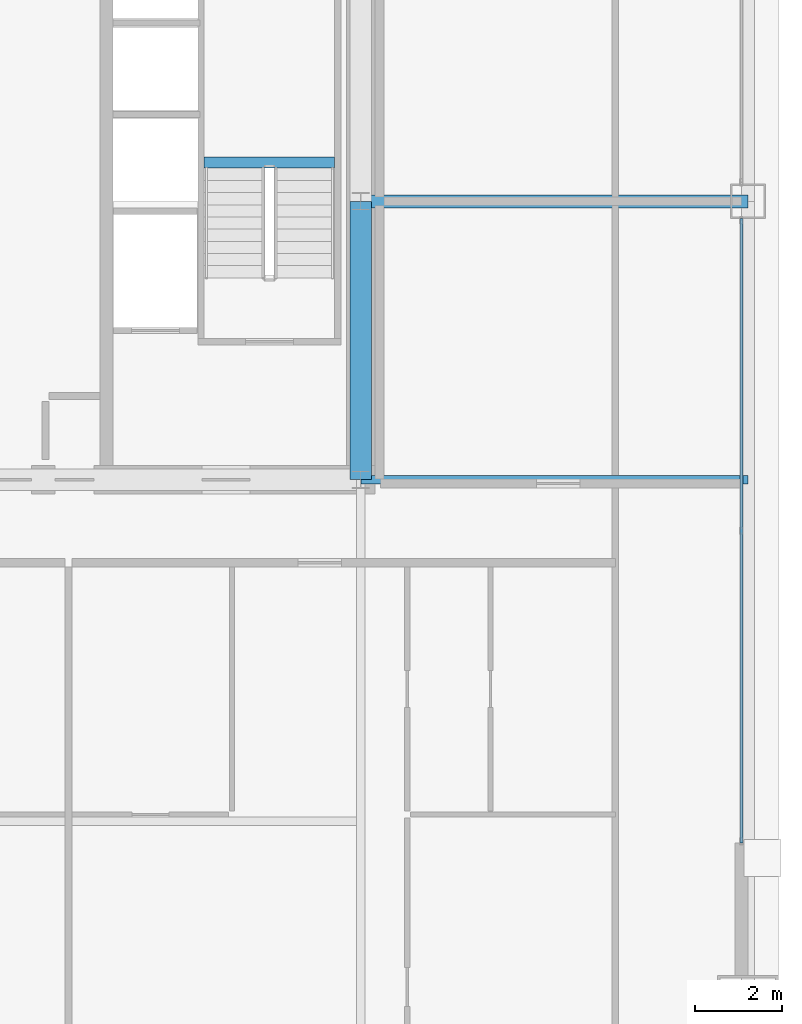
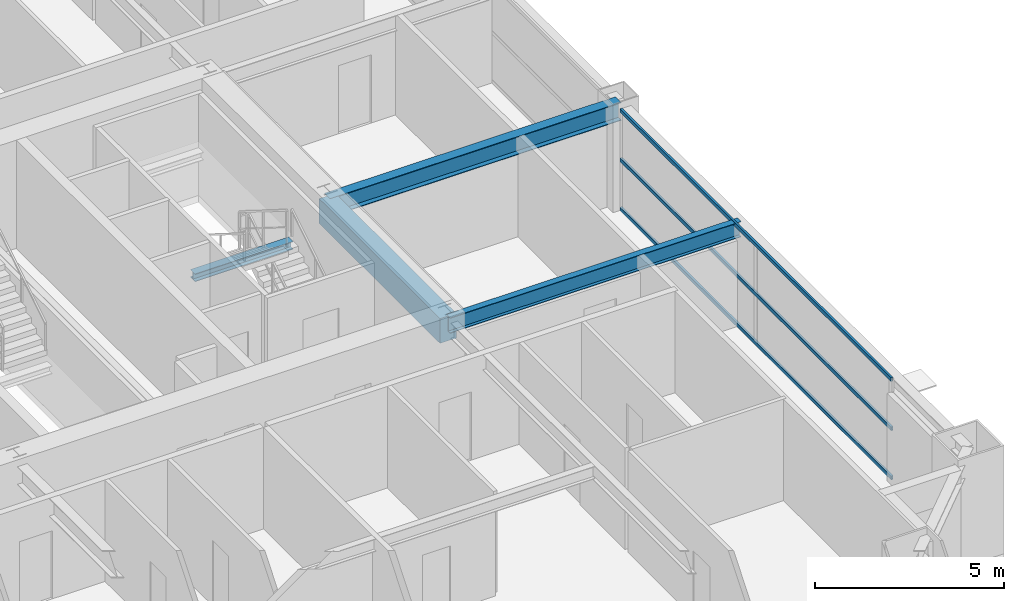
# One storey, part 19 of 38: 4 beams, 3 members, 1 element without a shape of its own.
"""IFC4 building model written with IfcOpenShell, lengths in metres."""

import ifcopenshell
import ifcopenshell.guid

model = None  # the IFC model being written
_history = None  # IfcOwnerHistory: only IFC2X3 demands one
_inside = {}  # id of a spatial element -> (the spatial element, [elements in it])
_under = {}  # id of a project, library or spatial element -> (it, [spatial elements below it])
_declared = {}  # id of a project -> (the project, [libraries it declares])
_typed = {}  # id of a type object -> (the type object, [elements of that type])
_made_of = {}  # id of a material, layer set ... -> (it, [elements and type objects made of it])


def new_model(schema):
    """Start an empty IFC model of exactly this schema.

    Asked for "IFC4X3", IfcOpenShell would pick the latest addendum, in which some entities
    have other attributes; the version numbers below select the first issue.
    IFC2X3 requires an IfcOwnerHistory on every rooted entity: one is made here for all.
    """
    global model, _history
    if schema == "IFC4X3":
        model = ifcopenshell.file(schema_version=(4, 3, 0, 0))
    else:
        model = ifcopenshell.file(schema=schema)
    _inside.clear()
    _under.clear()
    _declared.clear()
    _typed.clear()
    _made_of.clear()
    _history = None
    if model.schema == "IFC2X3":
        org = make("IfcOrganization", Name="unknown")
        user = make(
            "IfcPersonAndOrganization",
            ThePerson=make("IfcPerson", FamilyName="unknown"),
            TheOrganization=org,
        )
        app = make(
            "IfcApplication",
            ApplicationDeveloper=org,
            Version="unknown",
            ApplicationFullName="unknown",
            ApplicationIdentifier="unknown",
        )
        _history = make(
            "IfcOwnerHistory",
            OwningUser=user,
            OwningApplication=app,
            ChangeAction="ADDED",
            CreationDate=0,
        )
    return model


def make(cls, **values):
    """One entity of the class cls with the attributes given. An attribute that is None is left unset."""
    return model.create_entity(
        cls, **{name: value for name, value in values.items() if value is not None}
    )


def rooted(cls, **values):
    """An entity with a GlobalId (a new one), such as an element, a storey or a relation."""
    return make(cls, GlobalId=ifcopenshell.guid.new(), OwnerHistory=_history, **values)


def si_unit(unit_type, name, prefix=None):
    """IfcSIUnit, for example si_unit("LENGTHUNIT", "METRE", prefix="MILLI")."""
    return make("IfcSIUnit", UnitType=unit_type, Prefix=prefix, Name=name)


def assignment(units):
    """IfcUnitAssignment: the units of a project."""
    return None if units is None else make("IfcUnitAssignment", Units=units)


def point(xyz):
    """IfcCartesianPoint."""
    return None if xyz is None else make("IfcCartesianPoint", Coordinates=xyz)


def direction(xyz):
    """IfcDirection."""
    return None if xyz is None else make("IfcDirection", DirectionRatios=xyz)


def frame(location, z_axis=None, x_axis=None):
    """IfcAxis2Placement3D, a coordinate frame: its origin and axes. An axis left out is left unset."""
    return make(
        "IfcAxis2Placement3D",
        Location=point(location),
        Axis=direction(z_axis),
        RefDirection=direction(x_axis),
    )


def frame_2d(location, x_axis=None):
    """IfcAxis2Placement2D, a coordinate frame in the plane: its origin and x axis."""
    return make(
        "IfcAxis2Placement2D", Location=point(location), RefDirection=direction(x_axis)
    )


def origin():
    """The frame at (0, 0, 0) with its axes left unset."""
    return frame((0.0, 0.0, 0.0))


def origin_2d():
    """The frame at (0, 0) in the plane with its x axis left unset."""
    return frame_2d((0.0, 0.0))


def place(relative_to, where):
    """IfcLocalPlacement: puts the frame where relative to a parent placement (None: the world)."""
    return make(
        "IfcLocalPlacement", PlacementRelTo=relative_to, RelativePlacement=where
    )


def context(
    kind, dimensions, precision=None, world=None, true_north=None, identifier=None
):
    """IfcGeometricRepresentationContext, for example the 3D "Model" context."""
    return make(
        "IfcGeometricRepresentationContext",
        ContextIdentifier=identifier,
        ContextType=kind,
        CoordinateSpaceDimension=dimensions,
        Precision=precision,
        WorldCoordinateSystem=world,
        TrueNorth=true_north,
    )


def subcontext(parent, identifier, kind, view, scale=None):
    """IfcGeometricRepresentationSubContext, for example "Body" below "Model"."""
    return make(
        "IfcGeometricRepresentationSubContext",
        ContextIdentifier=identifier,
        ContextType=kind,
        ParentContext=parent,
        TargetScale=scale,
        TargetView=view,
    )


def project(units=None, contexts=None):
    """IfcProject with its units and contexts."""
    return rooted(
        "IfcProject",
        Name="project",
        RepresentationContexts=contexts,
        UnitsInContext=assignment(units),
    )


def spatial(cls, under=None, at=None, **own):
    """A site, building, storey or space (cls), placed at a placement, below another one or the project."""
    s = rooted(cls, ObjectPlacement=at, **own)
    if under is not None:
        _under.setdefault(under.id(), (under, []))[1].append(s)
    return s


def profile(cls, at=None, kind="AREA", **sizes):
    """A parametric profile (cls). Its sizes go by their IFC names, for example OverallWidth=200.0."""
    return make(cls, ProfileType=kind, Position=at, **sizes)


def rectangle(**sizes):
    """IfcRectangleProfileDef."""
    return profile("IfcRectangleProfileDef", **sizes)


def hollow_rectangle(**sizes):
    """IfcRectangleHollowProfileDef."""
    return profile("IfcRectangleHollowProfileDef", **sizes)


def i_section(**sizes):
    """IfcIShapeProfileDef."""
    return profile("IfcIShapeProfileDef", **sizes)


def extrude(swept, where, along, depth):
    """IfcExtrudedAreaSolid: the profile swept, set in the frame where, extruded along a direction by depth."""
    return make(
        "IfcExtrudedAreaSolid",
        SweptArea=swept,
        Position=where,
        ExtrudedDirection=direction(along),
        Depth=depth,
    )


def shape(context_of_items, identifier, shape_type, items):
    """IfcShapeRepresentation: the items that make up one representation, for example the "Body"."""
    return make(
        "IfcShapeRepresentation",
        ContextOfItems=context_of_items,
        RepresentationIdentifier=identifier,
        RepresentationType=shape_type,
        Items=items,
    )


def source(mapping_origin, context_of_items, identifier, shape_type, items):
    """IfcRepresentationMap: a shape defined once, which mapped items show again and again."""
    return make(
        "IfcRepresentationMap",
        MappingOrigin=mapping_origin,
        MappedRepresentation=shape(context_of_items, identifier, shape_type, items),
    )


def transform(
    local_origin,
    x_axis=None,
    y_axis=None,
    z_axis=None,
    scale=None,
    scale2=None,
    scale3=None,
    uniform=True,
):
    """IfcCartesianTransformationOperator3D, or its non-uniform kind. x_axis, y_axis, z_axis: its Axis1, 2, 3."""
    if uniform:
        return make(
            "IfcCartesianTransformationOperator3D",
            Axis1=direction(x_axis),
            Axis2=direction(y_axis),
            LocalOrigin=point(local_origin),
            Scale=scale,
            Axis3=direction(z_axis),
        )
    return make(
        "IfcCartesianTransformationOperator3DnonUniform",
        Axis1=direction(x_axis),
        Axis2=direction(y_axis),
        LocalOrigin=point(local_origin),
        Scale=scale,
        Axis3=direction(z_axis),
        Scale2=scale2,
        Scale3=scale3,
    )


def mapped(mapping_source, mapping_target):
    """IfcMappedItem: shows the shape of a source again, moved by a transform."""
    return make(
        "IfcMappedItem", MappingSource=mapping_source, MappingTarget=mapping_target
    )


def material(Name=None, Category=None):
    """IfcMaterial."""
    return make("IfcMaterial", Name=Name, Category=Category)


def layer(
    of_material, thickness, ventilated=None, Name=None, Category=None, Priority=None
):
    """IfcMaterialLayer: one layer of a wall or slab, of a material (None: an air gap)."""
    return make(
        "IfcMaterialLayer",
        Material=of_material,
        LayerThickness=thickness,
        IsVentilated=ventilated,
        Name=Name,
        Category=Category,
        Priority=Priority,
    )


def layer_set(layers, Name=None):
    """IfcMaterialLayerSet."""
    return make("IfcMaterialLayerSet", MaterialLayers=layers, LayerSetName=Name)


def material_profile(
    of_material, cross_section, Name=None, Category=None, Priority=None
):
    """IfcMaterialProfile: a cross section and its material."""
    return make(
        "IfcMaterialProfile",
        Name=Name,
        Material=of_material,
        Profile=cross_section,
        Priority=Priority,
        Category=Category,
    )


def profile_set(profiles, Name=None, composite=None):
    """IfcMaterialProfileSet."""
    return make(
        "IfcMaterialProfileSet",
        Name=Name,
        MaterialProfiles=profiles,
        CompositeProfile=composite,
    )


def made_of(thing, what):
    """Note that an element or type object is made of a material, layer set ...; save() writes the relation."""
    if what is not None:
        _made_of.setdefault(what.id(), (what, []))[1].append(thing)
    return thing


def type_object(cls, material=None, **own):
    """A type object (cls), such as IfcWallType, which elements share."""
    return made_of(rooted(cls, **own), material)


def element(
    cls,
    number,
    at=None,
    inside=None,
    cuts=None,
    type_object=None,
    material=None,
    context=None,
    identifier="Body",
    shape_type=None,
    held_by="IfcProductDefinitionShape",
    body=None,
    shapes=None,
    **own,
):
    """One element of the class cls, such as IfcWall. Its Tag is "e" and its number.

    at: its placement. inside: the storey or other place that contains it. cuts: it is an
    opening in that element (IfcRelVoidsElement). A single representation is given by context,
    identifier, shape_type and body (its items); several are given by shapes. held_by: the class
    of the entity that holds the representations. save() writes the other relations.
    """
    e = rooted(cls, Tag="e%d" % number, ObjectPlacement=at, **own)
    if body is not None:
        shapes = [shape(context, identifier, shape_type, body)]
    if shapes is not None:
        e.Representation = make(held_by, Representations=shapes)
    if inside is not None:
        _inside.setdefault(inside.id(), (inside, []))[1].append(e)
    if cuts is not None:
        rooted(
            "IfcRelVoidsElement", RelatingBuildingElement=cuts, RelatedOpeningElement=e
        )
    if type_object is not None:
        _typed.setdefault(type_object.id(), (type_object, []))[1].append(e)
    return made_of(e, material)


def aggregate(whole, parts):
    """IfcRelAggregates: a whole, such as a stair, and the parts it consists of."""
    return rooted("IfcRelAggregates", RelatingObject=whole, RelatedObjects=parts)


def save(model, path):
    """Write the relations noted so far, then the file.

    IfcRelAggregates (storeys below a building ...), IfcRelContainedInSpatialStructure (elements
    in a storey), IfcRelDefinesByType, IfcRelAssociatesMaterial and IfcRelDeclares: one each for
    every whole, place, type object, material and project.
    """
    for whole, parts in _under.values():
        aggregate(whole, parts)
    for where, things in _inside.values():
        rooted(
            "IfcRelContainedInSpatialStructure",
            RelatedElements=things,
            RelatingStructure=where,
        )
    for kind, things in _typed.values():
        rooted("IfcRelDefinesByType", RelatedObjects=things, RelatingType=kind)
    for what, things in _made_of.values():
        rooted("IfcRelAssociatesMaterial", RelatedObjects=things, RelatingMaterial=what)
    for by, libraries in _declared.values():
        rooted("IfcRelDeclares", RelatingContext=by, RelatedDefinitions=libraries)
    model.write(path)


model = new_model("IFC4")

# Units and contexts
model_context = context("Model", 3, precision=1e-05, world=origin(), true_north=direction((0.0, 1.0)))
body_context = subcontext(model_context, "Body", "Model", "MODEL_VIEW")
ifc_project = project(units=[si_unit("LENGTHUNIT", "METRE"), si_unit("AREAUNIT", "SQUARE_METRE"), si_unit("VOLUMEUNIT", "CUBIC_METRE"), si_unit("PLANEANGLEUNIT", "RADIAN"), si_unit("MASSUNIT", "GRAM", prefix="KILO"), si_unit("THERMODYNAMICTEMPERATUREUNIT", "KELVIN"), si_unit("POWERUNIT", "WATT")], contexts=[model_context])

# Site, building, storey
site_placement = place(None, origin())
site = spatial("IfcSite", under=ifc_project, at=site_placement, CompositionType="ELEMENT")
building_placement = place(site_placement, origin())
building = spatial("IfcBuilding", under=site, at=building_placement, Name="Yuzanri Waterfront Tower", CompositionType="ELEMENT")
storey_placement = place(building_placement, frame((0.0, 0.0, 209.0)))
storey = spatial("IfcBuildingStorey", under=building, at=storey_placement, Name="L55", CompositionType="ELEMENT", Elevation=209.0)

# Beams
ifc_material_1 = material(Name="Steel Q355B", Category="steel")
ifc_material_profile_1 = material_profile(ifc_material_1, i_section(OverallWidth=0.300048828125, OverallDepth=0.587890625, WebThickness=0.011962890625, FlangeThickness=0.02001953125, at=origin_2d()), Name="HM 588x300x12x20")
ifc_profile_set_1 = profile_set([ifc_material_profile_1], Name="Steel Q355B")
beam_type_1 = type_object("IfcBeamType", Name="Primary Floor Girder Q355B HM 588x300", PredefinedType="BEAM", material=ifc_profile_set_1)
shared_shape_1 = source(origin(), body_context, "Body", "SweptSolid", [
    extrude(i_section(OverallWidth=0.300048828125, OverallDepth=0.587890625, WebThickness=0.011962890625, FlangeThickness=0.02001953125, at=origin_2d()), origin(), (0.0, 0.0, 1.0), 8.900146484375),
])
beam_1_placement = place(storey_placement, frame((50.199951171875, 25.800048828125, 2.986083984375), z_axis=(1.0, 0.0, 0.0), x_axis=(0.0, 1.0, 0.0)))
element("IfcBeam", 1, at=beam_1_placement, inside=storey, type_object=beam_type_1, Name="L55 East Grid Girder", PredefinedType="BEAM", context=body_context, shape_type="MappedRepresentation", body=[
    mapped(shared_shape_1, transform((0.0, 0.0, 0.0), scale=1.0)),
])
ifc_material_2 = material(Name="Steel Q355B", Category="steel")
ifc_material_profile_2 = material_profile(ifc_material_2, i_section(OverallWidth=0.199951171875, OverallDepth=0.5, WebThickness=0.010009765625, FlangeThickness=0.01611328125, at=origin_2d()), Name="HN 500x200x10x16")
ifc_profile_set_2 = profile_set([ifc_material_profile_2], Name="Steel Q355B")
beam_type_2 = type_object("IfcBeamType", Name="Secondary Floor Beam Q355B HN 500x200", PredefinedType="BEAM", material=ifc_profile_set_2)
shared_shape_2 = source(origin(), body_context, "Body", "SweptSolid", [
    extrude(i_section(OverallWidth=0.199951171875, OverallDepth=0.5, WebThickness=0.010009765625, FlangeThickness=0.01611328125, at=origin_2d()), origin(), (0.0, 0.0, 1.0), 8.900146484375),
])
beam_2_placement = place(storey_placement, frame((50.199951171875, 19.39990234375, 3.030029296875), z_axis=(1.0, 0.0, 0.0), x_axis=(0.0, 1.0, 0.0)))
element("IfcBeam", 2, at=beam_2_placement, inside=storey, type_object=beam_type_2, Name="L55 East-South Core Line Beam", PredefinedType="BEAM", context=body_context, shape_type="MappedRepresentation", body=[
    mapped(shared_shape_2, transform((0.0, 0.0, 0.0), scale=1.0)),
])
ifc_material_3 = material(Name="Concrete C50", Category="concrete")
ifc_material_profile_3 = material_profile(ifc_material_3, rectangle(XDim=0.5, YDim=0.800048828125, at=origin_2d()), Name="RC 500x800")
ifc_profile_set_3 = profile_set([ifc_material_profile_3], Name="Concrete C50")
beam_type_3 = type_object("IfcBeamType", Name="Core Coupling Lintel Concrete C50 500x800", PredefinedType="LINTEL", material=ifc_profile_set_3)
shared_shape_3 = source(origin(), body_context, "Body", "SweptSolid", [
    extrude(rectangle(XDim=0.5, YDim=0.800048828125, at=origin_2d()), origin(), (0.0, 0.0, 1.0), 6.400146484375),
])
beam_3_placement = place(storey_placement, frame((50.199951171875, 19.39990234375, 2.8798828125), z_axis=(0.0, 1.0, 0.0), x_axis=(-1.0, 0.0, 0.0)))
element("IfcBeam", 3, at=beam_3_placement, inside=storey, type_object=beam_type_3, Name="L55 Core Tie Beam CE1", PredefinedType="LINTEL", context=body_context, shape_type="MappedRepresentation", body=[
    mapped(shared_shape_3, transform((0.0, 0.0, 0.0), scale=1.0)),
])

# Curtain wall, members
ifc_material_4 = material(Name="Anodized Architectural Bronze", Category="metal")
ifc_layer = layer(ifc_material_4, 0.159912109375)
ifc_layer_set = layer_set([ifc_layer], Name="Anodized Architectural Bronze")
curtain_wall_type = type_object("IfcCurtainWallType", Name="Anodized Bronze Mid-Rise Residential Acoustic Unitized Curtain Wall 7200", PredefinedType="NOTDEFINED", material=ifc_layer_set)
curtain_wall_placement = place(storey_placement, origin())
curtain_wall = element("IfcCurtainWall", 4, at=curtain_wall_placement, inside=storey, type_object=curtain_wall_type, Name="L55 Curtain Wall CW-L55-EL", PredefinedType="NOTDEFINED")
ifc_material_5 = material(Name="Anodized Architectural Bronze", Category="metal")
ifc_material_profile_4 = material_profile(ifc_material_5, hollow_rectangle(XDim=0.06494140625, YDim=0.1201171875, WallThickness=0.00341796875, at=origin_2d()), Name="CWT 65x120")
ifc_profile_set_4 = profile_set([ifc_material_profile_4], Name="Anodized Architectural Bronze")
member_type = type_object("IfcMemberType", Name="Anodized Bronze Secondary Curtain-Wall Transom 65x120", PredefinedType="USERDEFINED", material=ifc_profile_set_4)
shared_shape_4 = source(origin(), body_context, "Body", "SweptSolid", [
    extrude(hollow_rectangle(XDim=0.06494140625, YDim=0.1201171875, WallThickness=0.00341796875, at=origin_2d()), origin(), (0.0, 0.0, 1.0), 14.349853515625),
])
member_1_placement = place(storey_placement, frame((58.949951171875, 11.050048828125, 0.050048828125), z_axis=(0.0, 1.0, 0.0), x_axis=(-1.0, 0.0, 0.0)))
member_1 = element("IfcMember", 5, at=member_1_placement, type_object=member_type, Name="CW-L55-EL Transom 1", ObjectType="TRANSOM", PredefinedType="USERDEFINED", context=body_context, shape_type="MappedRepresentation", body=[
    mapped(shared_shape_4, transform((0.0, 0.0, 0.0), scale=1.0)),
])
member_2_placement = place(storey_placement, frame((58.949951171875, 11.050048828125, 1.639892578125), z_axis=(0.0, 1.0, 0.0), x_axis=(-1.0, 0.0, 0.0)))
member_2 = element("IfcMember", 6, at=member_2_placement, type_object=member_type, Name="CW-L55-EL Transom 2", ObjectType="TRANSOM", PredefinedType="USERDEFINED", context=body_context, shape_type="MappedRepresentation", body=[
    mapped(shared_shape_4, transform((0.0, 0.0, 0.0), scale=1.0)),
])
member_3_placement = place(storey_placement, frame((58.949951171875, 11.050048828125, 3.22998046875), z_axis=(0.0, 1.0, 0.0), x_axis=(-1.0, 0.0, 0.0)))
member_3 = element("IfcMember", 7, at=member_3_placement, type_object=member_type, Name="CW-L55-EL Transom 3", ObjectType="TRANSOM", PredefinedType="USERDEFINED", context=body_context, shape_type="MappedRepresentation", body=[
    mapped(shared_shape_4, transform((0.0, 0.0, 0.0), scale=1.0)),
])
aggregate(curtain_wall, [member_1, member_2, member_3])

# Beam
ifc_material_6 = material(Name="Steel Q355B", Category="steel")
ifc_material_profile_5 = material_profile(ifc_material_6, i_section(OverallWidth=0.25, OverallDepth=0.25, WebThickness=0.009033203125, FlangeThickness=0.013916015625, at=origin_2d()), Name="HW 250x250x9x14")
ifc_profile_set_5 = profile_set([ifc_material_profile_5], Name="Steel Q355B")
beam_type_4 = type_object("IfcBeamType", Name="Stair Landing Support Beam Q355B HW 250x250", PredefinedType="BEAM", material=ifc_profile_set_5)
shared_shape_5 = source(origin(), body_context, "Body", "SweptSolid", [
    extrude(i_section(OverallWidth=0.25, OverallDepth=0.25, WebThickness=0.009033203125, FlangeThickness=0.013916015625, at=origin_2d()), origin(), (0.0, 0.0, 1.0), 3.0),
])
beam_4_placement = place(storey_placement, frame((46.60009765625, 26.68994140625, 1.425048828125), z_axis=(1.0, 0.0, 0.0), x_axis=(0.0, 1.0, 0.0)))
element("IfcBeam", 8, at=beam_4_placement, inside=storey, type_object=beam_type_4, Name="L55 Stair Landing Support Beam ST-02-L55-L1-1", PredefinedType="BEAM", context=body_context, shape_type="MappedRepresentation", body=[
    mapped(shared_shape_5, transform((0.0, 0.0, 0.0), scale=1.0)),
])

save(model, "model.ifc")
